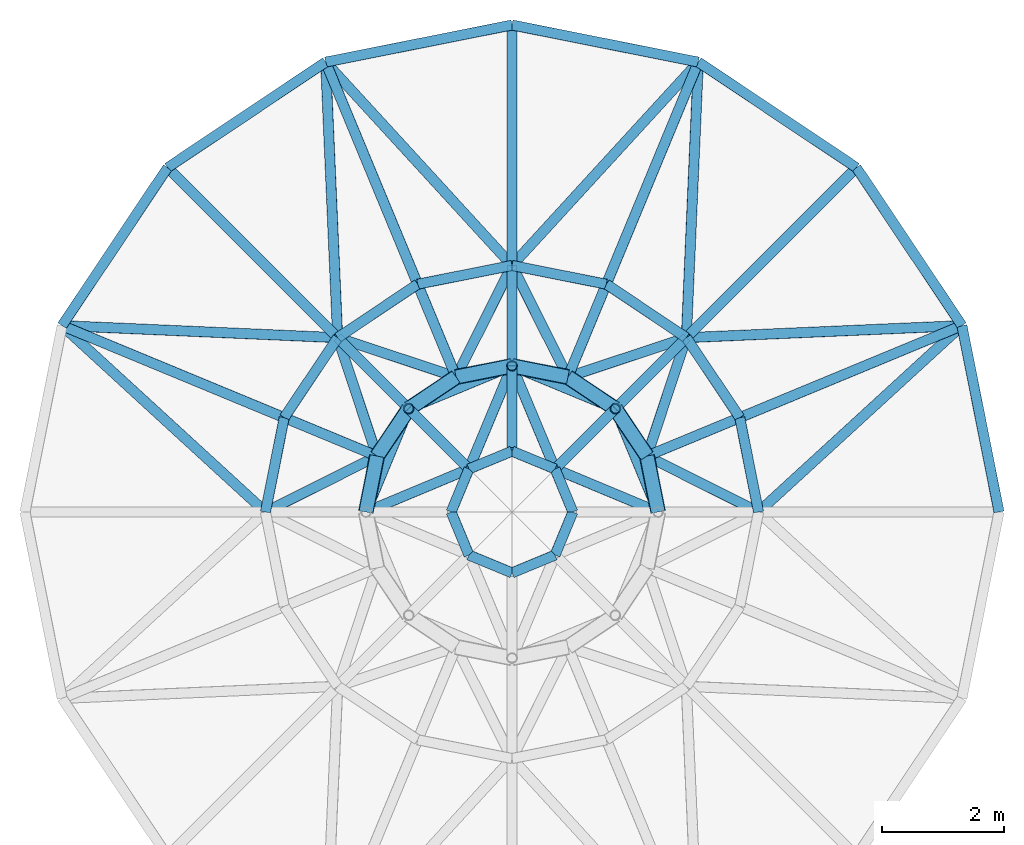
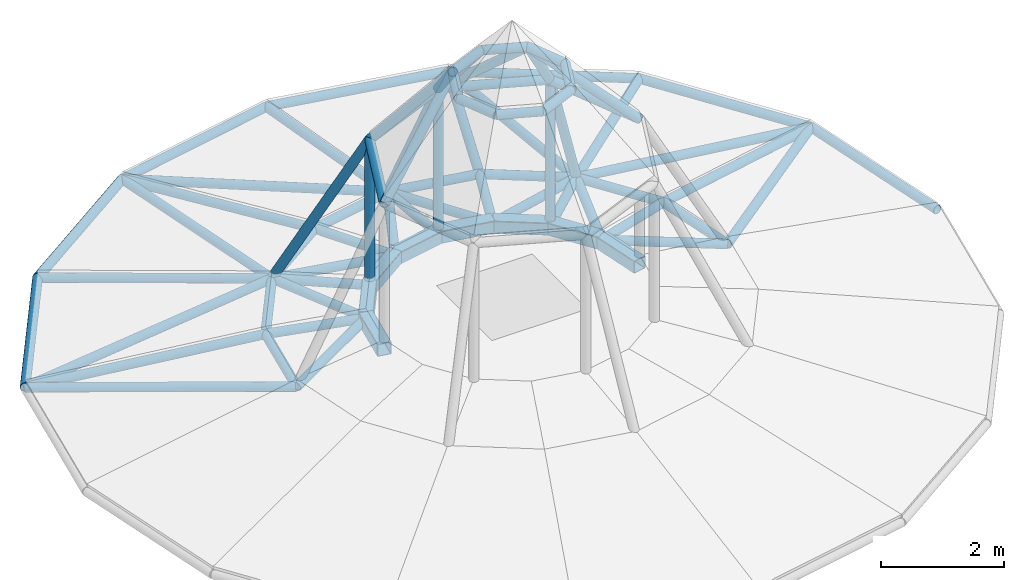
# One storey, part 2 of 4: 78 members.
"""IFC4 building model written with IfcOpenShell, lengths in metres."""

import ifcopenshell
import ifcopenshell.guid

model = None  # the IFC model being written
_history = None  # IfcOwnerHistory: only IFC2X3 demands one
_inside = {}  # id of a spatial element -> (the spatial element, [elements in it])
_under = {}  # id of a project, library or spatial element -> (it, [spatial elements below it])
_declared = {}  # id of a project -> (the project, [libraries it declares])
_typed = {}  # id of a type object -> (the type object, [elements of that type])
_made_of = {}  # id of a material, layer set ... -> (it, [elements and type objects made of it])


def new_model(schema):
    """Start an empty IFC model of exactly this schema.

    Asked for "IFC4X3", IfcOpenShell would pick the latest addendum, in which some entities
    have other attributes; the version numbers below select the first issue.
    IFC2X3 requires an IfcOwnerHistory on every rooted entity: one is made here for all.
    """
    global model, _history
    if schema == "IFC4X3":
        model = ifcopenshell.file(schema_version=(4, 3, 0, 0))
    else:
        model = ifcopenshell.file(schema=schema)
    _inside.clear()
    _under.clear()
    _declared.clear()
    _typed.clear()
    _made_of.clear()
    _history = None
    if model.schema == "IFC2X3":
        org = make("IfcOrganization", Name="unknown")
        user = make(
            "IfcPersonAndOrganization",
            ThePerson=make("IfcPerson", FamilyName="unknown"),
            TheOrganization=org,
        )
        app = make(
            "IfcApplication",
            ApplicationDeveloper=org,
            Version="unknown",
            ApplicationFullName="unknown",
            ApplicationIdentifier="unknown",
        )
        _history = make(
            "IfcOwnerHistory",
            OwningUser=user,
            OwningApplication=app,
            ChangeAction="ADDED",
            CreationDate=0,
        )
    return model


def make(cls, **values):
    """One entity of the class cls with the attributes given. An attribute that is None is left unset."""
    return model.create_entity(
        cls, **{name: value for name, value in values.items() if value is not None}
    )


def rooted(cls, **values):
    """An entity with a GlobalId (a new one), such as an element, a storey or a relation."""
    return make(cls, GlobalId=ifcopenshell.guid.new(), OwnerHistory=_history, **values)


def si_unit(unit_type, name, prefix=None):
    """IfcSIUnit, for example si_unit("LENGTHUNIT", "METRE", prefix="MILLI")."""
    return make("IfcSIUnit", UnitType=unit_type, Prefix=prefix, Name=name)


def assignment(units):
    """IfcUnitAssignment: the units of a project."""
    return None if units is None else make("IfcUnitAssignment", Units=units)


def point(xyz):
    """IfcCartesianPoint."""
    return None if xyz is None else make("IfcCartesianPoint", Coordinates=xyz)


def direction(xyz):
    """IfcDirection."""
    return None if xyz is None else make("IfcDirection", DirectionRatios=xyz)


def frame(location, z_axis=None, x_axis=None):
    """IfcAxis2Placement3D, a coordinate frame: its origin and axes. An axis left out is left unset."""
    return make(
        "IfcAxis2Placement3D",
        Location=point(location),
        Axis=direction(z_axis),
        RefDirection=direction(x_axis),
    )


def frame_2d(location, x_axis=None):
    """IfcAxis2Placement2D, a coordinate frame in the plane: its origin and x axis."""
    return make(
        "IfcAxis2Placement2D", Location=point(location), RefDirection=direction(x_axis)
    )


def origin():
    """The frame at (0, 0, 0) with its axes left unset."""
    return frame((0.0, 0.0, 0.0))


def origin_2d():
    """The frame at (0, 0) in the plane with its x axis left unset."""
    return frame_2d((0.0, 0.0))


def place(relative_to, where):
    """IfcLocalPlacement: puts the frame where relative to a parent placement (None: the world)."""
    return make(
        "IfcLocalPlacement", PlacementRelTo=relative_to, RelativePlacement=where
    )


def context(
    kind, dimensions, precision=None, world=None, true_north=None, identifier=None
):
    """IfcGeometricRepresentationContext, for example the 3D "Model" context."""
    return make(
        "IfcGeometricRepresentationContext",
        ContextIdentifier=identifier,
        ContextType=kind,
        CoordinateSpaceDimension=dimensions,
        Precision=precision,
        WorldCoordinateSystem=world,
        TrueNorth=true_north,
    )


def subcontext(parent, identifier, kind, view, scale=None):
    """IfcGeometricRepresentationSubContext, for example "Body" below "Model"."""
    return make(
        "IfcGeometricRepresentationSubContext",
        ContextIdentifier=identifier,
        ContextType=kind,
        ParentContext=parent,
        TargetScale=scale,
        TargetView=view,
    )


def project(units=None, contexts=None):
    """IfcProject with its units and contexts."""
    return rooted(
        "IfcProject",
        Name="project",
        RepresentationContexts=contexts,
        UnitsInContext=assignment(units),
    )


def spatial(cls, under=None, at=None, **own):
    """A site, building, storey or space (cls), placed at a placement, below another one or the project."""
    s = rooted(cls, ObjectPlacement=at, **own)
    if under is not None:
        _under.setdefault(under.id(), (under, []))[1].append(s)
    return s


def profile(cls, at=None, kind="AREA", **sizes):
    """A parametric profile (cls). Its sizes go by their IFC names, for example OverallWidth=200.0."""
    return make(cls, ProfileType=kind, Position=at, **sizes)


def hollow_rectangle(**sizes):
    """IfcRectangleHollowProfileDef."""
    return profile("IfcRectangleHollowProfileDef", **sizes)


def hollow_circle(**sizes):
    """IfcCircleHollowProfileDef."""
    return profile("IfcCircleHollowProfileDef", **sizes)


def extrude(swept, where, along, depth):
    """IfcExtrudedAreaSolid: the profile swept, set in the frame where, extruded along a direction by depth."""
    return make(
        "IfcExtrudedAreaSolid",
        SweptArea=swept,
        Position=where,
        ExtrudedDirection=direction(along),
        Depth=depth,
    )


def shape(context_of_items, identifier, shape_type, items):
    """IfcShapeRepresentation: the items that make up one representation, for example the "Body"."""
    return make(
        "IfcShapeRepresentation",
        ContextOfItems=context_of_items,
        RepresentationIdentifier=identifier,
        RepresentationType=shape_type,
        Items=items,
    )


def material(Name=None, Category=None):
    """IfcMaterial."""
    return make("IfcMaterial", Name=Name, Category=Category)


def material_profile(
    of_material, cross_section, Name=None, Category=None, Priority=None
):
    """IfcMaterialProfile: a cross section and its material."""
    return make(
        "IfcMaterialProfile",
        Name=Name,
        Material=of_material,
        Profile=cross_section,
        Priority=Priority,
        Category=Category,
    )


def profile_set(profiles, Name=None, composite=None):
    """IfcMaterialProfileSet."""
    return make(
        "IfcMaterialProfileSet",
        Name=Name,
        MaterialProfiles=profiles,
        CompositeProfile=composite,
    )


def made_of(thing, what):
    """Note that an element or type object is made of a material, layer set ...; save() writes the relation."""
    if what is not None:
        _made_of.setdefault(what.id(), (what, []))[1].append(thing)
    return thing


def type_object(cls, material=None, **own):
    """A type object (cls), such as IfcWallType, which elements share."""
    return made_of(rooted(cls, **own), material)


def element(
    cls,
    number,
    at=None,
    inside=None,
    cuts=None,
    type_object=None,
    material=None,
    context=None,
    identifier="Body",
    shape_type=None,
    held_by="IfcProductDefinitionShape",
    body=None,
    shapes=None,
    **own,
):
    """One element of the class cls, such as IfcWall. Its Tag is "e" and its number.

    at: its placement. inside: the storey or other place that contains it. cuts: it is an
    opening in that element (IfcRelVoidsElement). A single representation is given by context,
    identifier, shape_type and body (its items); several are given by shapes. held_by: the class
    of the entity that holds the representations. save() writes the other relations.
    """
    e = rooted(cls, Tag="e%d" % number, ObjectPlacement=at, **own)
    if body is not None:
        shapes = [shape(context, identifier, shape_type, body)]
    if shapes is not None:
        e.Representation = make(held_by, Representations=shapes)
    if inside is not None:
        _inside.setdefault(inside.id(), (inside, []))[1].append(e)
    if cuts is not None:
        rooted(
            "IfcRelVoidsElement", RelatingBuildingElement=cuts, RelatedOpeningElement=e
        )
    if type_object is not None:
        _typed.setdefault(type_object.id(), (type_object, []))[1].append(e)
    return made_of(e, material)


def aggregate(whole, parts):
    """IfcRelAggregates: a whole, such as a stair, and the parts it consists of."""
    return rooted("IfcRelAggregates", RelatingObject=whole, RelatedObjects=parts)


def save(model, path):
    """Write the relations noted so far, then the file.

    IfcRelAggregates (storeys below a building ...), IfcRelContainedInSpatialStructure (elements
    in a storey), IfcRelDefinesByType, IfcRelAssociatesMaterial and IfcRelDeclares: one each for
    every whole, place, type object, material and project.
    """
    for whole, parts in _under.values():
        aggregate(whole, parts)
    for where, things in _inside.values():
        rooted(
            "IfcRelContainedInSpatialStructure",
            RelatedElements=things,
            RelatingStructure=where,
        )
    for kind, things in _typed.values():
        rooted("IfcRelDefinesByType", RelatedObjects=things, RelatingType=kind)
    for what, things in _made_of.values():
        rooted("IfcRelAssociatesMaterial", RelatedObjects=things, RelatingMaterial=what)
    for by, libraries in _declared.values():
        rooted("IfcRelDeclares", RelatingContext=by, RelatedDefinitions=libraries)
    model.write(path)


model = new_model("IFC4")

# Units and contexts
model_context = context("Model", 3, precision=1e-05, world=origin(), true_north=direction((0.0, 1.0)))
body_context = subcontext(model_context, "Body", "Model", "MODEL_VIEW")
ifc_project = project(units=[si_unit("LENGTHUNIT", "METRE"), si_unit("AREAUNIT", "SQUARE_METRE"), si_unit("VOLUMEUNIT", "CUBIC_METRE"), si_unit("PLANEANGLEUNIT", "RADIAN"), si_unit("MASSUNIT", "GRAM", prefix="KILO")], contexts=[model_context])

# Site, building, storey
site_placement = place(None, origin())
site = spatial("IfcSite", under=ifc_project, at=site_placement, CompositionType="ELEMENT")
building_placement = place(site_placement, origin())
building = spatial("IfcBuilding", under=site, at=building_placement, Name="Kupolbacken Congress Centre", CompositionType="ELEMENT")
storey_placement = place(building_placement, frame((0.0, 0.0, 37.10009765625)))
storey = spatial("IfcBuildingStorey", under=building, at=storey_placement, Name="ROOF", CompositionType="ELEMENT", Elevation=37.10009765625)

# Members
ifc_material_1 = material(Name="Steel S355", Category="steel")
ifc_material_profile_1 = material_profile(ifc_material_1, hollow_rectangle(XDim=0.25, YDim=0.25, WallThickness=0.012451171875, InnerFilletRadius=0.012451171875, OuterFilletRadius=0.018798828125, at=origin_2d()), Name="SHS 250 x 250 x 12.5")
ifc_profile_set_1 = profile_set([ifc_material_profile_1], Name="Steel S355")
member_type_1 = type_object("IfcMemberType", Name="M11 dome crown ring SHS 250 x 250 x 12.5", PredefinedType="CHORD", material=ifc_profile_set_1)
for number, where, z_axis, x_axis, name in (
    (1, (45.60009765625, 86.39990234375, 1.81591796875), (-0.195263774891, 0.980750762536, 0.0), (-0.980750762536, -0.195263774891, 0.0), "DM/RNG07-01"),
    (2, (45.417236328125, 87.318359375, 1.81591796875), (-0.555481953048, 0.831528592315, 0.0), (-0.831528592315, -0.555481953048, 0.0), "DM/RNG07-02"),
):
    element("IfcMember", number, at=place(storey_placement, frame(where, z_axis=z_axis, x_axis=x_axis)), inside=storey, type_object=member_type_1, Name=name, PredefinedType="CHORD", context=body_context, shape_type="SweptSolid", body=[
        extrude(hollow_rectangle(XDim=0.25, YDim=0.25, WallThickness=0.012451171875, InnerFilletRadius=0.012451171875, OuterFilletRadius=0.018798828125, at=origin_2d()), origin(), (0.0, 0.0, 1.0), 0.9365234375),
    ])
member_1_placement = place(storey_placement, frame((44.89697265625, 88.09716796875, 1.81591796875), z_axis=(-0.831448134613, 0.555602375309, 0.0), x_axis=(-0.555602375309, -0.831448134613, 0.0)))
element("IfcMember", 3, at=member_1_placement, inside=storey, type_object=member_type_1, Name="DM/RNG07-03", PredefinedType="CHORD", context=body_context, shape_type="SweptSolid", body=[
    extrude(hollow_rectangle(XDim=0.25, YDim=0.25, WallThickness=0.012451171875, InnerFilletRadius=0.012451171875, OuterFilletRadius=0.018798828125, at=origin_2d()), origin(), (0.0, 0.0, 1.0), 0.936279296875),
])
for number, where, z_axis, x_axis, name in (
    (4, (44.118408203125, 88.617431640625, 1.81591796875), (-0.98080065826, 0.195012996379, 0.0), (-0.195012996379, -0.98080065826, 0.0), "DM/RNG07-04"),
    (5, (43.199951171875, 88.800048828125, 1.81591796875), (-0.98080065826, -0.195012996379, 0.0), (0.195012996379, -0.98080065826, 0.0), "DM/RNG07-05"),
):
    element("IfcMember", number, at=place(storey_placement, frame(where, z_axis=z_axis, x_axis=x_axis)), inside=storey, type_object=member_type_1, Name=name, PredefinedType="CHORD", context=body_context, shape_type="SweptSolid", body=[
        extrude(hollow_rectangle(XDim=0.25, YDim=0.25, WallThickness=0.012451171875, InnerFilletRadius=0.012451171875, OuterFilletRadius=0.018798828125, at=origin_2d()), origin(), (0.0, 0.0, 1.0), 0.9365234375),
    ])
member_2_placement = place(storey_placement, frame((42.281494140625, 88.617431640625, 1.81591796875), z_axis=(-0.831448134613, -0.555602375309, 0.0), x_axis=(0.555602375309, -0.831448134613, 0.0)))
element("IfcMember", 6, at=member_2_placement, inside=storey, type_object=member_type_1, Name="DM/RNG07-06", PredefinedType="CHORD", context=body_context, shape_type="SweptSolid", body=[
    extrude(hollow_rectangle(XDim=0.25, YDim=0.25, WallThickness=0.012451171875, InnerFilletRadius=0.012451171875, OuterFilletRadius=0.018798828125, at=origin_2d()), origin(), (0.0, 0.0, 1.0), 0.936279296875),
])
for number, where, z_axis, x_axis, name in (
    (7, (41.5029296875, 88.09716796875, 1.81591796875), (-0.555481953048, -0.831528592315, 0.0), (0.831528592315, -0.555481953048, 0.0), "DM/RNG07-07"),
    (8, (40.982666015625, 87.318359375, 1.81591796875), (-0.195012996379, -0.98080065826, 0.0), (0.98080065826, -0.195012996379, 0.0), "DM/RNG07-08"),
):
    element("IfcMember", number, at=place(storey_placement, frame(where, z_axis=z_axis, x_axis=x_axis)), inside=storey, type_object=member_type_1, Name=name, PredefinedType="CHORD", context=body_context, shape_type="SweptSolid", body=[
        extrude(hollow_rectangle(XDim=0.25, YDim=0.25, WallThickness=0.012451171875, InnerFilletRadius=0.012451171875, OuterFilletRadius=0.018798828125, at=origin_2d()), origin(), (0.0, 0.0, 1.0), 0.9365234375),
    ])
ifc_material_2 = material(Name="Steel S355", Category="steel")
ifc_material_profile_2 = material_profile(ifc_material_2, hollow_circle(Radius=0.084228515625, WallThickness=0.008056640625, at=origin_2d()), Name="CHS 168.3 x 8")
ifc_profile_set_2 = profile_set([ifc_material_profile_2], Name="Steel S355")
member_type_2 = type_object("IfcMemberType", Name="M16 dome rib CHS 168.3 x 8", PredefinedType="BRACE", material=ifc_profile_set_2)
member_3_placement = place(storey_placement, frame((50.591064453125, 89.46142578125, 0.949951171875), z_axis=(-0.909721684381, -0.376778629114, 0.174483012384), x_axis=(0.382648384846, -0.92389404889, 0.0)))
element("IfcMember", 9, at=member_3_placement, inside=storey, type_object=member_type_2, Name="DM/RIB06-02", PredefinedType="BRACE", context=body_context, shape_type="SweptSolid", body=[
    extrude(hollow_circle(Radius=0.084228515625, WallThickness=0.008056640625, at=origin_2d()), origin(), (0.0, 0.0, 1.0), 4.011474609375),
])
for number, where, z_axis, x_axis, name in (
    (10, (48.85693359375, 92.056884765625, 0.949951171875), (-0.696260775061, -0.696260775061, 0.17447597606), (0.707106781187, -0.707106781187, 0.0), "DM/RIB06-03"),
    (11, (46.261474609375, 93.791015625, 0.949951171875), (-0.376830846722, -0.909700823127, 0.174479011233), (0.923872197413, -0.382701140379, 0.0), "DM/RIB06-04"),
):
    element("IfcMember", number, at=place(storey_placement, frame(where, z_axis=z_axis, x_axis=x_axis)), inside=storey, type_object=member_type_2, Name=name, PredefinedType="BRACE", context=body_context, shape_type="SweptSolid", body=[
        extrude(hollow_circle(Radius=0.084228515625, WallThickness=0.008056640625, at=origin_2d()), origin(), (0.0, 0.0, 1.0), 4.01171875),
    ])
member_4_placement = place(storey_placement, frame((43.199951171875, 94.39990234375, 0.949951171875), z_axis=(0.0, -0.984659546104, 0.17448661343), x_axis=(1.0, 0.0, 0.0)))
element("IfcMember", 12, at=member_4_placement, inside=storey, type_object=member_type_2, Name="DM/RIB06-05", PredefinedType="BRACE", context=body_context, shape_type="SweptSolid", body=[
    extrude(hollow_circle(Radius=0.084228515625, WallThickness=0.008056640625, at=origin_2d()), origin(), (0.0, 0.0, 1.0), 4.011474609375),
])
member_5_placement = place(storey_placement, frame((40.138427734375, 93.791015625, 0.949951171875), z_axis=(0.376830846722, -0.909700823127, 0.174479011233), x_axis=(0.923872197413, 0.382701140379, 0.0)))
element("IfcMember", 13, at=member_5_placement, inside=storey, type_object=member_type_2, Name="DM/RIB06-06", PredefinedType="BRACE", context=body_context, shape_type="SweptSolid", body=[
    extrude(hollow_circle(Radius=0.084228515625, WallThickness=0.008056640625, at=origin_2d()), origin(), (0.0, 0.0, 1.0), 4.01171875),
])
member_6_placement = place(storey_placement, frame((37.543212890625, 92.056884765625, 0.949951171875), z_axis=(0.696229418455, -0.69629027767, 0.174483369118), x_axis=(0.707137684177, 0.707075876845, 0.0)))
element("IfcMember", 14, at=member_6_placement, inside=storey, type_object=member_type_2, Name="DM/RIB06-07", PredefinedType="BRACE", context=body_context, shape_type="SweptSolid", body=[
    extrude(hollow_circle(Radius=0.084228515625, WallThickness=0.008056640625, at=origin_2d()), origin(), (0.0, 0.0, 1.0), 4.011474609375),
])
member_7_placement = place(storey_placement, frame((35.80908203125, 89.46142578125, 0.949951171875), z_axis=(0.909711191009, -0.376799490435, 0.174492673086), x_axis=(0.382670236475, 0.923884998318, 0.0)))
element("IfcMember", 15, at=member_7_placement, inside=storey, type_object=member_type_2, Name="DM/RIB06-08", PredefinedType="BRACE", context=body_context, shape_type="SweptSolid", body=[
    extrude(hollow_circle(Radius=0.084228515625, WallThickness=0.008056640625, at=origin_2d()), origin(), (0.0, 0.0, 1.0), 4.01123046875),
])
member_8_placement = place(storey_placement, frame((46.941650390625, 87.949951171875, 1.64990234375), z_axis=(-0.919204856901, -0.380842883537, 0.100105589797), x_axis=(0.382765584242, -0.92384549981, 0.0)))
element("IfcMember", 16, at=member_8_placement, inside=storey, type_object=member_type_2, Name="DM/RIB07-02", PredefinedType="BRACE", context=body_context, shape_type="SweptSolid", body=[
    extrude(hollow_circle(Radius=0.084228515625, WallThickness=0.008056640625, at=origin_2d()), origin(), (0.0, 0.0, 1.0), 1.658447265625),
])
for number, where, z_axis, x_axis, name in (
    (17, (46.063720703125, 89.263671875, 1.64990234375), (-0.703627544032, -0.703480310815, 0.100118587558), (0.707032788953, -0.707180765678, 0.0), "DM/RIB07-03"),
    (18, (44.749755859375, 90.1416015625, 1.64990234375), (-0.38076854168, -0.91923356756, 0.100124751873), (0.923876145736, -0.382691608661, 0.0), "DM/RIB07-04"),
    (19, (43.199951171875, 90.449951171875, 1.64990234375), (0.0, -0.99497577778, 0.100115940943), (1.0, 0.0, 0.0), "DM/RIB07-05"),
    (20, (41.650146484375, 90.1416015625, 1.64990234375), (0.38076854168, -0.91923356756, 0.100124751873), (0.923876145736, 0.382691608661, 0.0), "DM/RIB07-06"),
    (21, (40.336181640625, 89.263671875, 1.64990234375), (0.703627544032, -0.703480310815, 0.100118587558), (0.707032788953, 0.707180765678, 0.0), "DM/RIB07-07"),
):
    element("IfcMember", number, at=place(storey_placement, frame(where, z_axis=z_axis, x_axis=x_axis)), inside=storey, type_object=member_type_2, Name=name, PredefinedType="BRACE", context=body_context, shape_type="SweptSolid", body=[
        extrude(hollow_circle(Radius=0.084228515625, WallThickness=0.008056640625, at=origin_2d()), origin(), (0.0, 0.0, 1.0), 1.658203125),
    ])
member_9_placement = place(storey_placement, frame((39.458251953125, 87.949951171875, 1.64990234375), z_axis=(0.919204856901, -0.380842883537, 0.100105589797), x_axis=(0.382765584242, 0.92384549981, 0.0)))
element("IfcMember", 22, at=member_9_placement, inside=storey, type_object=member_type_2, Name="DM/RIB07-08", PredefinedType="BRACE", context=body_context, shape_type="SweptSolid", body=[
    extrude(hollow_circle(Radius=0.084228515625, WallThickness=0.008056640625, at=origin_2d()), origin(), (0.0, 0.0, 1.0), 1.658447265625),
])
for number, where, z_axis, x_axis, name in (
    (23, (47.25, 86.39990234375, 1.64990234375), (0.728636586091, 0.667672838113, -0.15264896546), (-0.675590438487, 0.737277125255, 0.0), "DM/DIA06-01"),
    (24, (50.591064453125, 89.46142578125, 0.949951171875), (-0.9873392073, -0.043126874348, 0.152647837971), (0.043638286829, -0.999047396234, 0.0), "DM/DIA06-02"),
    (25, (46.063720703125, 89.263671875, 1.64990234375), (0.043126874348, 0.9873392073, -0.152647837971), (-0.999047396234, 0.043638286829, 0.0), "DM/DIA06-03"),
    (26, (46.261474609375, 93.791015625, 0.949951171875), (-0.667672838113, -0.728636586091, 0.15264896546), (0.737277125255, -0.675590438487, 0.0), "DM/DIA06-04"),
    (27, (43.199951171875, 90.449951171875, 1.64990234375), (-0.667672838113, 0.728636586091, -0.15264896546), (-0.737277125255, -0.675590438487, 0.0), "DM/DIA06-05"),
    (28, (40.138427734375, 93.791015625, 0.949951171875), (0.043126874348, -0.9873392073, 0.152647837971), (0.999047396234, 0.043638286829, 0.0), "DM/DIA06-06"),
):
    element("IfcMember", number, at=place(storey_placement, frame(where, z_axis=z_axis, x_axis=x_axis)), inside=storey, type_object=member_type_2, Name=name, PredefinedType="BRACE", context=body_context, shape_type="SweptSolid", body=[
        extrude(hollow_circle(Radius=0.084228515625, WallThickness=0.008056640625, at=origin_2d()), origin(), (0.0, 0.0, 1.0), 4.58544921875),
    ])
for number, where, z_axis, x_axis, name in (
    (29, (40.336181640625, 89.263671875, 1.64990234375), (-0.98733786753, 0.043129141601, -0.152655862925), (-0.043640635703, -0.999047293633, 0.0), "DM/DIA06-07"),
    (30, (35.80908203125, 89.46142578125, 0.949951171875), (0.728611608736, -0.667698741125, 0.152654887624), (0.67561727402, 0.737252534106, 0.0), "DM/DIA06-08"),
):
    element("IfcMember", number, at=place(storey_placement, frame(where, z_axis=z_axis, x_axis=x_axis)), inside=storey, type_object=member_type_2, Name=name, PredefinedType="BRACE", context=body_context, shape_type="SweptSolid", body=[
        extrude(hollow_circle(Radius=0.084228515625, WallThickness=0.008056640625, at=origin_2d()), origin(), (0.0, 0.0, 1.0), 4.585205078125),
    ])
for number, where, z_axis, x_axis, name in (
    (31, (47.25, 86.39990234375, 1.64990234375), (-0.891104688517, 0.446561321194, 0.080718154814), (-0.448023236226, -0.894021912372, 0.0), "DM/DIA07-01"),
    (32, (45.417236328125, 87.318359375, 1.81591796875), (0.314340973238, 0.945871931556, -0.080722002191), (-0.948968744467, 0.315370134959, 0.0), "DM/DIA07-02"),
    (33, (46.063720703125, 89.263671875, 1.64990234375), (-0.945907222123, -0.314233988072, 0.080725013936), (0.315262876669, -0.949004382811, 0.0), "DM/DIA07-03"),
):
    element("IfcMember", number, at=place(storey_placement, frame(where, z_axis=z_axis, x_axis=x_axis)), inside=storey, type_object=member_type_2, Name=name, PredefinedType="BRACE", context=body_context, shape_type="SweptSolid", body=[
        extrude(hollow_circle(Radius=0.084228515625, WallThickness=0.008056640625, at=origin_2d()), origin(), (0.0, 0.0, 1.0), 2.056640625),
    ])
for number, where, z_axis, x_axis, name in (
    (34, (44.118408203125, 88.617431640625, 1.81591796875), (-0.446608561437, 0.891080239806, -0.080726693721), (-0.89399800388, -0.448070941993, 0.0), "DM/DIA07-04"),
    (35, (43.199951171875, 90.449951171875, 1.64990234375), (-0.446608561437, -0.891080239806, 0.080726693721), (0.89399800388, -0.448070941993, 0.0), "DM/DIA07-05"),
):
    element("IfcMember", number, at=place(storey_placement, frame(where, z_axis=z_axis, x_axis=x_axis)), inside=storey, type_object=member_type_2, Name=name, PredefinedType="BRACE", context=body_context, shape_type="SweptSolid", body=[
        extrude(hollow_circle(Radius=0.084228515625, WallThickness=0.008056640625, at=origin_2d()), origin(), (0.0, 0.0, 1.0), 2.056396484375),
    ])
for number, where, z_axis, x_axis, name in (
    (36, (42.281494140625, 88.617431640625, 1.81591796875), (-0.945907222123, 0.314233988072, -0.080725013936), (-0.315262876669, -0.949004382811, 0.0), "DM/DIA07-06"),
    (37, (40.336181640625, 89.263671875, 1.64990234375), (0.314340973238, -0.945871931556, 0.080722002191), (0.948968744467, 0.315370134959, 0.0), "DM/DIA07-07"),
    (38, (40.982666015625, 87.318359375, 1.81591796875), (-0.891104688517, -0.446561321194, -0.080718154814), (0.448023236226, -0.894021912372, 0.0), "DM/DIA07-08"),
):
    element("IfcMember", number, at=place(storey_placement, frame(where, z_axis=z_axis, x_axis=x_axis)), inside=storey, type_object=member_type_2, Name=name, PredefinedType="BRACE", context=body_context, shape_type="SweptSolid", body=[
        extrude(hollow_circle(Radius=0.084228515625, WallThickness=0.008056640625, at=origin_2d()), origin(), (0.0, 0.0, 1.0), 2.056640625),
    ])
ifc_material_3 = material(Name="Steel S355", Category="steel")
ifc_material_profile_3 = material_profile(ifc_material_3, hollow_circle(Radius=0.084228515625, WallThickness=0.008056640625, at=origin_2d()), Name="CHS 168.3 x 8")
ifc_profile_set_3 = profile_set([ifc_material_profile_3], Name="Steel S355")
member_type_3 = type_object("IfcMemberType", Name="M17 dome ring CHS 168.3 x 8", PredefinedType="BRACE", material=ifc_profile_set_3)
for number, where, z_axis, x_axis, name in (
    (39, (51.199951171875, 86.39990234375, 0.949951171875), (-0.195063155143, 0.980790683839, 0.0), (-0.980790683839, -0.195063155143, 0.0), "DM/RNG05-01"),
    (40, (50.591064453125, 89.46142578125, 0.949951171875), (-0.555548220115, 0.831484320434, 0.0), (-0.831484320434, -0.555548220115, 0.0), "DM/RNG05-02"),
    (41, (48.85693359375, 92.056884765625, 0.949951171875), (-0.831484320434, 0.555548220115, 0.0), (-0.555548220115, -0.831484320434, 0.0), "DM/RNG05-03"),
    (42, (46.261474609375, 93.791015625, 0.949951171875), (-0.980790683839, 0.195063155143, 0.0), (-0.195063155143, -0.980790683839, 0.0), "DM/RNG05-04"),
    (43, (43.199951171875, 94.39990234375, 0.949951171875), (-0.980790683839, -0.195063155143, 0.0), (0.195063155143, -0.980790683839, 0.0), "DM/RNG05-05"),
):
    element("IfcMember", number, at=place(storey_placement, frame(where, z_axis=z_axis, x_axis=x_axis)), inside=storey, type_object=member_type_3, Name=name, PredefinedType="BRACE", context=body_context, shape_type="SweptSolid", body=[
        extrude(hollow_circle(Radius=0.084228515625, WallThickness=0.008056640625, at=origin_2d()), origin(), (0.0, 0.0, 1.0), 3.12158203125),
    ])
member_10_placement = place(storey_placement, frame((40.138427734375, 93.791015625, 0.949951171875), z_axis=(-0.831460178846, -0.555584350926, 0.0), x_axis=(0.555584350926, -0.831460178846, 0.0)))
element("IfcMember", 44, at=member_10_placement, inside=storey, type_object=member_type_3, Name="DM/RNG05-06", PredefinedType="BRACE", context=body_context, shape_type="SweptSolid", body=[
    extrude(hollow_circle(Radius=0.084228515625, WallThickness=0.008056640625, at=origin_2d()), origin(), (0.0, 0.0, 1.0), 3.121337890625),
])
member_11_placement = place(storey_placement, frame((37.543212890625, 92.056884765625, 0.949951171875), z_axis=(-0.555548220115, -0.831484320434, 0.0), x_axis=(0.831484320434, -0.555548220115, 0.0)))
element("IfcMember", 45, at=member_11_placement, inside=storey, type_object=member_type_3, Name="DM/RNG05-07", PredefinedType="BRACE", context=body_context, shape_type="SweptSolid", body=[
    extrude(hollow_circle(Radius=0.084228515625, WallThickness=0.008056640625, at=origin_2d()), origin(), (0.0, 0.0, 1.0), 3.12158203125),
])
member_12_placement = place(storey_placement, frame((47.25, 86.39990234375, 1.64990234375), z_axis=(-0.195105981253, 0.980782165457, 0.0), x_axis=(-0.980782165457, -0.195105981253, 0.0)))
element("IfcMember", 46, at=member_12_placement, inside=storey, type_object=member_type_3, Name="DM/RNG06-01", PredefinedType="BRACE", context=body_context, shape_type="SweptSolid", body=[
    extrude(hollow_circle(Radius=0.084228515625, WallThickness=0.008056640625, at=origin_2d()), origin(), (0.0, 0.0, 1.0), 1.580322265625),
])
member_13_placement = place(storey_placement, frame((46.941650390625, 87.949951171875, 1.64990234375), z_axis=(-0.555626926869, 0.831431727887, 0.0), x_axis=(-0.831431727887, -0.555626926869, 0.0)))
element("IfcMember", 47, at=member_13_placement, inside=storey, type_object=member_type_3, Name="DM/RNG06-02", PredefinedType="BRACE", context=body_context, shape_type="SweptSolid", body=[
    extrude(hollow_circle(Radius=0.084228515625, WallThickness=0.008056640625, at=origin_2d()), origin(), (0.0, 0.0, 1.0), 1.580078125),
])
member_14_placement = place(storey_placement, frame((46.063720703125, 89.263671875, 1.64990234375), z_axis=(-0.831479419992, 0.555555554495, 0.0), x_axis=(-0.555555554495, -0.831479419992, 0.0)))
element("IfcMember", 48, at=member_14_placement, inside=storey, type_object=member_type_3, Name="DM/RNG06-03", PredefinedType="BRACE", context=body_context, shape_type="SweptSolid", body=[
    extrude(hollow_circle(Radius=0.084228515625, WallThickness=0.008056640625, at=origin_2d()), origin(), (0.0, 0.0, 1.0), 1.580322265625),
])
for number, where, z_axis, x_axis, name in (
    (49, (44.749755859375, 90.1416015625, 1.64990234375), (-0.9807762837, 0.195135546048, 0.0), (-0.195135546048, -0.9807762837, 0.0), "DM/RNG06-04"),
    (50, (43.199951171875, 90.449951171875, 1.64990234375), (-0.9807762837, -0.195135546048, 0.0), (0.195135546048, -0.9807762837, 0.0), "DM/RNG06-05"),
):
    element("IfcMember", number, at=place(storey_placement, frame(where, z_axis=z_axis, x_axis=x_axis)), inside=storey, type_object=member_type_3, Name=name, PredefinedType="BRACE", context=body_context, shape_type="SweptSolid", body=[
        extrude(hollow_circle(Radius=0.084228515625, WallThickness=0.008056640625, at=origin_2d()), origin(), (0.0, 0.0, 1.0), 1.580078125),
    ])
member_15_placement = place(storey_placement, frame((41.650146484375, 90.1416015625, 1.64990234375), z_axis=(-0.831479419992, -0.555555554495, 0.0), x_axis=(0.555555554495, -0.831479419992, 0.0)))
element("IfcMember", 51, at=member_15_placement, inside=storey, type_object=member_type_3, Name="DM/RNG06-06", PredefinedType="BRACE", context=body_context, shape_type="SweptSolid", body=[
    extrude(hollow_circle(Radius=0.084228515625, WallThickness=0.008056640625, at=origin_2d()), origin(), (0.0, 0.0, 1.0), 1.580322265625),
])
member_16_placement = place(storey_placement, frame((40.336181640625, 89.263671875, 1.64990234375), z_axis=(-0.555626926869, -0.831431727887, 0.0), x_axis=(0.831431727887, -0.555626926869, 0.0)))
element("IfcMember", 52, at=member_16_placement, inside=storey, type_object=member_type_3, Name="DM/RNG06-07", PredefinedType="BRACE", context=body_context, shape_type="SweptSolid", body=[
    extrude(hollow_circle(Radius=0.084228515625, WallThickness=0.008056640625, at=origin_2d()), origin(), (0.0, 0.0, 1.0), 1.580078125),
])
member_17_placement = place(storey_placement, frame((39.458251953125, 87.949951171875, 1.64990234375), z_axis=(-0.195105981253, -0.980782165457, 0.0), x_axis=(0.980782165457, -0.195105981253, 0.0)))
element("IfcMember", 53, at=member_17_placement, inside=storey, type_object=member_type_3, Name="DM/RNG06-08", PredefinedType="BRACE", context=body_context, shape_type="SweptSolid", body=[
    extrude(hollow_circle(Radius=0.084228515625, WallThickness=0.008056640625, at=origin_2d()), origin(), (0.0, 0.0, 1.0), 1.580322265625),
])
ifc_material_4 = material(Name="Steel S355", Category="steel")
ifc_material_profile_4 = material_profile(ifc_material_4, hollow_circle(Radius=0.084228515625, WallThickness=0.008056640625, at=origin_2d()), Name="CHS 168.3 x 8")
ifc_profile_set_4 = profile_set([ifc_material_profile_4], Name="Steel S355")
member_type_4 = type_object("IfcMemberType", Name="M18 lantern rib CHS 168.3 x 8", PredefinedType="BRACE", material=ifc_profile_set_4)
for number, where, z_axis, x_axis, name in (
    (54, (44.89697265625, 88.09716796875, 1.930908203125), (0.0, 0.0, 1.0), (1.0, 0.0, 0.0), "DM/LAN/POST02"),
    (55, (43.199951171875, 88.800048828125, 1.930908203125), (0.0, 0.0, 1.0), (1.0, 0.0, 0.0), "DM/LAN/POST03"),
    (56, (41.5029296875, 88.09716796875, 1.930908203125), (0.0, 0.0, 1.0), (1.0, 0.0, 0.0), "DM/LAN/POST04"),
):
    element("IfcMember", number, at=place(storey_placement, frame(where, z_axis=z_axis, x_axis=x_axis)), inside=storey, type_object=member_type_4, Name=name, PredefinedType="BRACE", context=body_context, shape_type="SweptSolid", body=[
        extrude(hollow_circle(Radius=0.084228515625, WallThickness=0.008056640625, at=origin_2d()), origin(), (0.0, 0.0, 1.0), 2.710205078125),
    ])
for number, where, z_axis, x_axis, name in (
    (57, (46.063720703125, 89.263671875, 1.659912109375), (-0.336026165252, -0.335955852182, 0.879897767727), (0.707032788953, -0.707180765678, 0.0), "DM/LAN/STRUT02"),
    (58, (43.199951171875, 90.449951171875, 1.659912109375), (0.0, -0.475172867458, 0.879892462766), (1.0, 0.0, 0.0), "DM/LAN/STRUT03"),
    (59, (40.336181640625, 89.263671875, 1.659912109375), (0.336026165252, -0.335955852182, 0.879897767727), (0.707032788953, 0.707180765678, 0.0), "DM/LAN/STRUT04"),
):
    element("IfcMember", number, at=place(storey_placement, frame(where, z_axis=z_axis, x_axis=x_axis)), inside=storey, type_object=member_type_4, Name=name, PredefinedType="BRACE", context=body_context, shape_type="SweptSolid", body=[
        extrude(hollow_circle(Radius=0.084228515625, WallThickness=0.008056640625, at=origin_2d()), origin(), (0.0, 0.0, 1.0), 3.47216796875),
    ])
member_18_placement = place(storey_placement, frame((44.89697265625, 88.09716796875, 4.715087890625), z_axis=(-0.465537891428, -0.465652725639, 0.752623418949), x_axis=(0.707193976053, -0.707019575566, 0.0)))
element("IfcMember", 60, at=member_18_placement, inside=storey, type_object=member_type_4, Name="DM/LAN/CAP/RIB01-02", PredefinedType="BRACE", context=body_context, shape_type="SweptSolid", body=[
    extrude(hollow_circle(Radius=0.084228515625, WallThickness=0.008056640625, at=origin_2d()), origin(), (0.0, 0.0, 1.0), 2.1259765625),
])
for number, where, z_axis, x_axis, name in (
    (61, (43.199951171875, 88.800048828125, 4.715087890625), (0.0, -0.658520866109, 0.752562468436), (1.0, 0.0, 0.0), "DM/LAN/CAP/RIB01-03"),
    (62, (41.5029296875, 88.09716796875, 4.715087890625), (0.465627830921, -0.465627830921, 0.752583182209), (0.707106781187, 0.707106781187, 0.0), "DM/LAN/CAP/RIB01-04"),
):
    element("IfcMember", number, at=place(storey_placement, frame(where, z_axis=z_axis, x_axis=x_axis)), inside=storey, type_object=member_type_4, Name=name, PredefinedType="BRACE", context=body_context, shape_type="SweptSolid", body=[
        extrude(hollow_circle(Radius=0.084228515625, WallThickness=0.008056640625, at=origin_2d()), origin(), (0.0, 0.0, 1.0), 2.126220703125),
    ])
for number, where, z_axis, x_axis, name in (
    (63, (45.60009765625, 86.39990234375, 4.715087890625), (-0.695392088498, 0.290532287335, 0.657282917221), (-0.385503388843, -0.922706419827, 0.0), "DM/LAN/CAP/DIA01-01"),
    (64, (43.9072265625, 87.107177734375, 6.315185546875), (-0.290532287335, 0.695392088498, -0.657282917221), (-0.922706419827, -0.385503388843, 0.0), "DM/LAN/CAP/DIA01-02"),
    (65, (43.199951171875, 88.800048828125, 4.715087890625), (-0.29044046118, -0.695412347314, 0.657302065806), (0.922753749107, -0.385390086157, 0.0), "DM/LAN/CAP/DIA01-03"),
    (66, (42.492919921875, 87.107177734375, 6.315185546875), (-0.695392088498, -0.290532287335, -0.657282917221), (0.385503388843, -0.922706419827, 0.0), "DM/LAN/CAP/DIA01-04"),
):
    element("IfcMember", number, at=place(storey_placement, frame(where, z_axis=z_axis, x_axis=x_axis)), inside=storey, type_object=member_type_4, Name=name, PredefinedType="BRACE", context=body_context, shape_type="SweptSolid", body=[
        extrude(hollow_circle(Radius=0.084228515625, WallThickness=0.008056640625, at=origin_2d()), origin(), (0.0, 0.0, 1.0), 2.434326171875),
    ])
ifc_material_5 = material(Name="Steel S355", Category="steel")
ifc_material_profile_5 = material_profile(ifc_material_5, hollow_circle(Radius=0.084228515625, WallThickness=0.008056640625, at=origin_2d()), Name="CHS 168.3 x 8")
ifc_profile_set_5 = profile_set([ifc_material_profile_5], Name="Steel S355")
member_type_5 = type_object("IfcMemberType", Name="M19 lantern ring CHS 168.3 x 8", PredefinedType="BRACE", material=ifc_profile_set_5)
member_19_placement = place(storey_placement, frame((45.60009765625, 86.39990234375, 4.715087890625), z_axis=(-0.382727364981, 0.923861333802, 0.0), x_axis=(-0.923861333802, -0.382727364981, 0.0)))
element("IfcMember", 67, at=member_19_placement, inside=storey, type_object=member_type_5, Name="DM/LAN/CAP/RNG00-01", PredefinedType="BRACE", context=body_context, shape_type="SweptSolid", body=[
    extrude(hollow_circle(Radius=0.084228515625, WallThickness=0.008056640625, at=origin_2d()), origin(), (0.0, 0.0, 1.0), 1.837158203125),
])
for number, where, z_axis, x_axis, name in (
    (68, (44.89697265625, 88.09716796875, 4.715087890625), (-0.923888858911, 0.382660915668, 0.0), (-0.382660915668, -0.923888858911, 0.0), "DM/LAN/CAP/RNG00-02"),
    (69, (43.199951171875, 88.800048828125, 4.715087890625), (-0.923888858911, -0.382660915668, 0.0), (0.382660915668, -0.923888858911, 0.0), "DM/LAN/CAP/RNG00-03"),
):
    element("IfcMember", number, at=place(storey_placement, frame(where, z_axis=z_axis, x_axis=x_axis)), inside=storey, type_object=member_type_5, Name=name, PredefinedType="BRACE", context=body_context, shape_type="SweptSolid", body=[
        extrude(hollow_circle(Radius=0.084228515625, WallThickness=0.008056640625, at=origin_2d()), origin(), (0.0, 0.0, 1.0), 1.8369140625),
    ])
member_20_placement = place(storey_placement, frame((41.5029296875, 88.09716796875, 4.715087890625), z_axis=(-0.382613930852, -0.923908317918, 0.0), x_axis=(0.923908317918, -0.382613930852, 0.0)))
element("IfcMember", 70, at=member_20_placement, inside=storey, type_object=member_type_5, Name="DM/LAN/CAP/RNG00-04", PredefinedType="BRACE", context=body_context, shape_type="SweptSolid", body=[
    extrude(hollow_circle(Radius=0.084228515625, WallThickness=0.008056640625, at=origin_2d()), origin(), (0.0, 0.0, 1.0), 1.837158203125),
])
for number, where, z_axis, x_axis, name in (
    (71, (44.199951171875, 86.39990234375, 6.315185546875), (-0.382417523995, 0.923989630538, 0.0), (-0.923989630538, -0.382417523995, 0.0), "DM/LAN/CAP/RNG01-01"),
    (72, (43.9072265625, 87.107177734375, 6.315185546875), (-0.923989630538, 0.382417523995, 0.0), (-0.382417523995, -0.923989630538, 0.0), "DM/LAN/CAP/RNG01-02"),
):
    element("IfcMember", number, at=place(storey_placement, frame(where, z_axis=z_axis, x_axis=x_axis)), inside=storey, type_object=member_type_5, Name=name, PredefinedType="BRACE", context=body_context, shape_type="SweptSolid", body=[
        extrude(hollow_circle(Radius=0.084228515625, WallThickness=0.008056640625, at=origin_2d()), origin(), (0.0, 0.0, 1.0), 0.765380859375),
    ])
member_21_placement = place(storey_placement, frame((43.199951171875, 87.39990234375, 6.315185546875), z_axis=(-0.923942966084, -0.382530254259, 0.0), x_axis=(0.382530254259, -0.923942966084, 0.0)))
element("IfcMember", 73, at=member_21_placement, inside=storey, type_object=member_type_5, Name="DM/LAN/CAP/RNG01-03", PredefinedType="BRACE", context=body_context, shape_type="SweptSolid", body=[
    extrude(hollow_circle(Radius=0.084228515625, WallThickness=0.008056640625, at=origin_2d()), origin(), (0.0, 0.0, 1.0), 0.76513671875),
])
member_22_placement = place(storey_placement, frame((42.492919921875, 87.107177734375, 6.315185546875), z_axis=(-0.382689777405, -0.923876904284, 0.0), x_axis=(0.923876904284, -0.382689777405, 0.0)))
element("IfcMember", 74, at=member_22_placement, inside=storey, type_object=member_type_5, Name="DM/LAN/CAP/RNG01-04", PredefinedType="BRACE", context=body_context, shape_type="SweptSolid", body=[
    extrude(hollow_circle(Radius=0.084228515625, WallThickness=0.008056640625, at=origin_2d()), origin(), (0.0, 0.0, 1.0), 0.765625),
])
for number, where, z_axis, x_axis, name in (
    (75, (42.199951171875, 86.39990234375, 6.315185546875), (0.382802560388, -0.92383017907, 0.0), (0.92383017907, 0.382802560388, 0.0), "DM/LAN/CAP/RNG01-05"),
    (76, (42.492919921875, 85.69287109375, 6.315185546875), (0.92383017907, -0.382802560388, 0.0), (0.382802560388, 0.92383017907, 0.0), "DM/LAN/CAP/RNG01-06"),
):
    element("IfcMember", number, at=place(storey_placement, frame(where, z_axis=z_axis, x_axis=x_axis)), inside=storey, type_object=member_type_5, Name=name, PredefinedType="BRACE", context=body_context, shape_type="SweptSolid", body=[
        extrude(hollow_circle(Radius=0.084228515625, WallThickness=0.008056640625, at=origin_2d()), origin(), (0.0, 0.0, 1.0), 0.765380859375),
    ])
member_23_placement = place(storey_placement, frame((43.199951171875, 85.39990234375, 6.315185546875), z_axis=(0.923876904284, 0.382689777405, 0.0), x_axis=(-0.382689777405, 0.923876904284, 0.0)))
element("IfcMember", 77, at=member_23_placement, inside=storey, type_object=member_type_5, Name="DM/LAN/CAP/RNG01-07", PredefinedType="BRACE", context=body_context, shape_type="SweptSolid", body=[
    extrude(hollow_circle(Radius=0.084228515625, WallThickness=0.008056640625, at=origin_2d()), origin(), (0.0, 0.0, 1.0), 0.765625),
])
member_24_placement = place(storey_placement, frame((43.9072265625, 85.69287109375, 6.315185546875), z_axis=(0.382530254259, 0.923942966084, 0.0), x_axis=(-0.923942966084, 0.382530254259, 0.0)))
element("IfcMember", 78, at=member_24_placement, inside=storey, type_object=member_type_5, Name="DM/LAN/CAP/RNG01-08", PredefinedType="BRACE", context=body_context, shape_type="SweptSolid", body=[
    extrude(hollow_circle(Radius=0.084228515625, WallThickness=0.008056640625, at=origin_2d()), origin(), (0.0, 0.0, 1.0), 0.76513671875),
])

save(model, "model.ifc")
